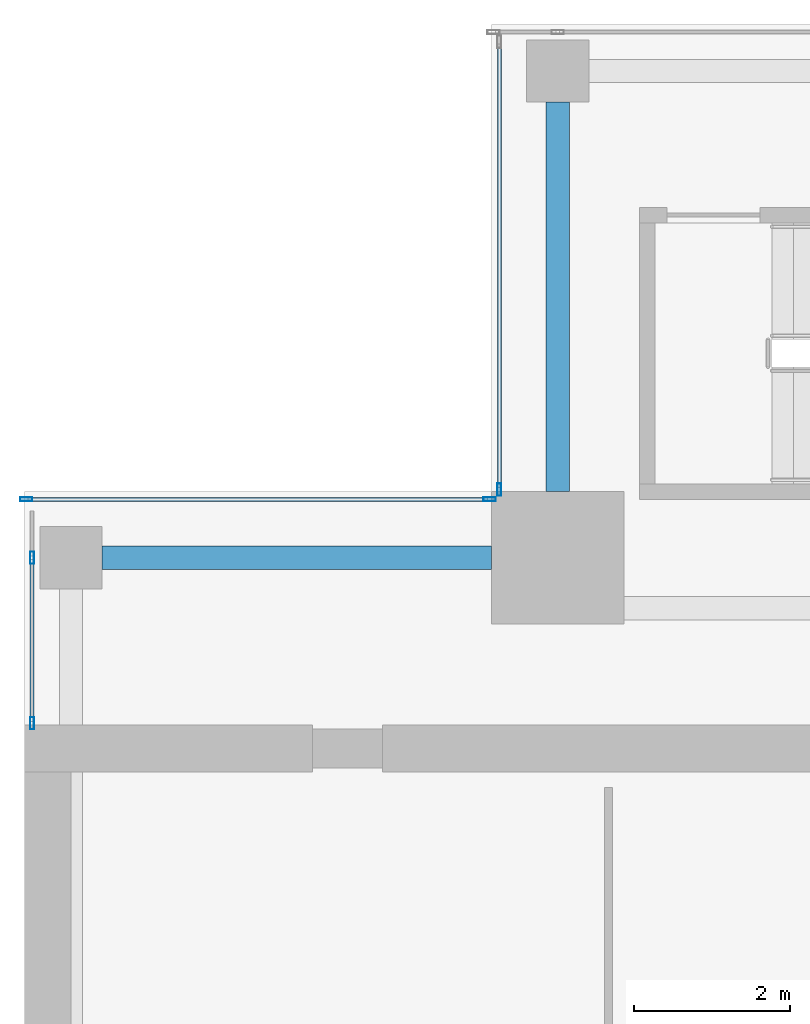
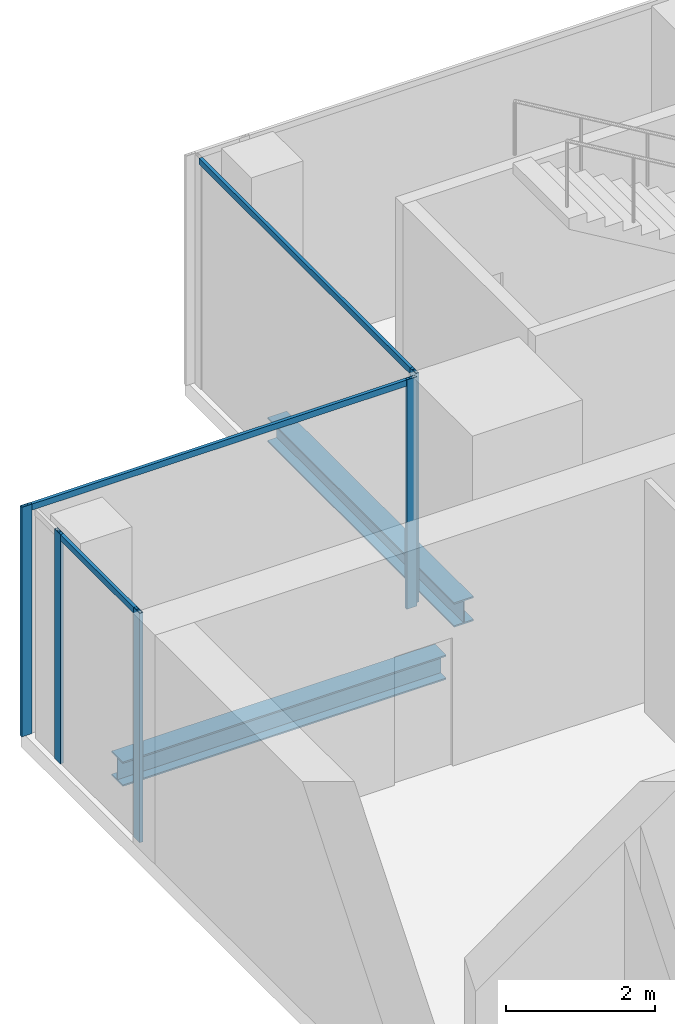
# One storey, part 14 of 29: 8 members, 2 beams, 3 elements without a shape of their own.
"""IFC4 building model written with IfcOpenShell, lengths in metres."""

from ifc_helpers import new_model, si_unit, direction, frame, origin, origin_2d, place, context, subcontext, project, spatial, hollow_rectangle, i_section, extrude, source, transform, mapped, material, material_profile, profile_set, type_object, element, aggregate, save


model = new_model("IFC4")

# Units and contexts
model_context = context("Model", 3, precision=1e-05, world=origin(), true_north=direction((0.0, 1.0)))
body_context = subcontext(model_context, "Body", "Model", "MODEL_VIEW")
ifc_project = project(units=[si_unit("LENGTHUNIT", "METRE"), si_unit("AREAUNIT", "SQUARE_METRE"), si_unit("VOLUMEUNIT", "CUBIC_METRE"), si_unit("PLANEANGLEUNIT", "RADIAN"), si_unit("MASSUNIT", "GRAM", prefix="KILO")], contexts=[model_context])

# Site, building, storey
site_placement = place(None, origin())
site = spatial("IfcSite", under=ifc_project, at=site_placement, CompositionType="ELEMENT")
building_placement = place(site_placement, origin())
building = spatial("IfcBuilding", under=site, at=building_placement, Name="Khomas Fold Tower", CompositionType="ELEMENT")
storey_placement = place(building_placement, frame((0.0, 0.0, 310.199951171875)))
storey = spatial("IfcBuildingStorey", under=building, at=storey_placement, Name="L70", CompositionType="ELEMENT", Elevation=310.199951171875)

# Beams
ifc_material_1 = material(Name="Steel S355", Category="steel")
ifc_material_profile_1 = material_profile(ifc_material_1, i_section(OverallWidth=0.300048828125, OverallDepth=0.39990234375, WebThickness=0.013427734375, FlangeThickness=0.02392578125, at=origin_2d()), Name="HE 400 B")
ifc_profile_set_1 = profile_set([ifc_material_profile_1], Name="Steel S355")
beam_type = type_object("IfcBeamType", Name="HE 400 B spandrel SB5", PredefinedType="SPANDREL", material=ifc_profile_set_1)
shared_shape_1 = source(origin(), body_context, "Body", "SweptSolid", [
    extrude(i_section(OverallWidth=0.300048828125, OverallDepth=0.39990234375, WebThickness=0.013427734375, FlangeThickness=0.02392578125, at=origin_2d()), origin(), (0.0, 0.0, 1.0), 5.0),
])
for number, where, z_axis, x_axis, name in (
    (1, (12.85009765625, 42.0, -0.449951171875), (0.0, 1.0, 0.0), (-1.0, 0.0, 0.0), "SB5"),
    (2, (7.0, 41.14990234375, -0.449951171875), (1.0, 0.0, 0.0), (0.0, 1.0, 0.0), "SB5"),
):
    element("IfcBeam", number, at=place(storey_placement, frame(where, z_axis=z_axis, x_axis=x_axis)), inside=storey, type_object=beam_type, Name=name, PredefinedType="SPANDREL", context=body_context, shape_type="MappedRepresentation", body=[
        mapped(shared_shape_1, transform((0.0, 0.0, 0.0))),
    ])

# Curtain wall, member
ifc_material_2 = material(Name="Aluminium framed double glazing", Category="aluminium")
curtain_wall_type = type_object("IfcCurtainWallType", Name="SK-Unitised clear-glass wall, upper floors CW3", PredefinedType="NOTDEFINED", material=ifc_material_2)
curtain_wall_1_placement = place(storey_placement, origin())
curtain_wall_1 = element("IfcCurtainWall", 3, at=curtain_wall_1_placement, inside=storey, type_object=curtain_wall_type, Name="CW3 corner return L70 07", PredefinedType="NOTDEFINED")
ifc_material_3 = material(Name="Aluminium", Category="aluminium")
ifc_material_profile_2 = material_profile(ifc_material_3, hollow_rectangle(XDim=0.050048828125, YDim=0.159912109375, WallThickness=0.00390625, at=origin_2d()), Name="SK-Unitised clear-glass wall, upper floors mullion CW3-M")
ifc_profile_set_2 = profile_set([ifc_material_profile_2], Name="Aluminium")
member_type_1 = type_object("IfcMemberType", Name="SK-Unitised clear-glass wall, upper floors mullion CW3-M", PredefinedType="MULLION", material=ifc_profile_set_2)
shared_shape_2 = source(origin(), body_context, "Body", "SweptSolid", [
    extrude(hollow_rectangle(XDim=0.050048828125, YDim=0.159912109375, WallThickness=0.00390625, at=origin_2d()), origin(), (0.0, 0.0, 1.0), 3.75),
])
member_1_placement = place(storey_placement, frame((12.10009765625, 42.02490234375, 0.0), z_axis=(0.0, 0.0, 1.0), x_axis=(1.0, 0.0, 0.0)))
member_1 = element("IfcMember", 4, at=member_1_placement, type_object=member_type_1, Name="CW3 mullion 2", PredefinedType="MULLION", context=body_context, shape_type="MappedRepresentation", body=[
    mapped(shared_shape_2, transform((0.0, 0.0, 0.0))),
])

# Curtain wall, members
curtain_wall_2_placement = place(storey_placement, origin())
curtain_wall_2 = element("IfcCurtainWall", 5, at=curtain_wall_2_placement, inside=storey, type_object=curtain_wall_type, Name="CW3 corner return L70 08", PredefinedType="NOTDEFINED")
member_2_placement = place(storey_placement, frame((11.97509765625, 41.89990234375, 0.0), z_axis=(0.0, 0.0, 1.0), x_axis=(0.0, -1.0, 0.0)))
member_2 = element("IfcMember", 6, at=member_2_placement, type_object=member_type_1, Name="CW3 mullion 1", PredefinedType="MULLION", context=body_context, shape_type="MappedRepresentation", body=[
    mapped(shared_shape_2, transform((0.0, 0.0, 0.0))),
])
member_3_placement = place(storey_placement, frame((6.02490234375, 41.89990234375, 0.0), z_axis=(0.0, 0.0, 1.0), x_axis=(0.0, -1.0, 0.0)))
member_3 = element("IfcMember", 7, at=member_3_placement, type_object=member_type_1, Name="CW3 mullion 2", PredefinedType="MULLION", context=body_context, shape_type="MappedRepresentation", body=[
    mapped(shared_shape_2, transform((0.0, 0.0, 0.0))),
])

curtain_wall_3_placement = place(storey_placement, origin())
curtain_wall_3 = element("IfcCurtainWall", 8, at=curtain_wall_3_placement, inside=storey, type_object=curtain_wall_type, Name="CW3 run L70 09-0", PredefinedType="NOTDEFINED")
member_4_placement = place(storey_placement, frame((6.10009765625, 41.14990234375, 0.0), z_axis=(0.0, 0.0, 1.0), x_axis=(1.0, 0.0, 0.0)))
member_4 = element("IfcMember", 9, at=member_4_placement, type_object=member_type_1, Name="CW3 mullion 2", PredefinedType="MULLION", context=body_context, shape_type="MappedRepresentation", body=[
    mapped(shared_shape_2, transform((0.0, 0.0, 0.0))),
])
member_5_placement = place(storey_placement, frame((6.10009765625, 39.02490234375, 0.0), z_axis=(0.0, 0.0, 1.0), x_axis=(1.0, 0.0, 0.0)))
member_5 = element("IfcMember", 10, at=member_5_placement, type_object=member_type_1, Name="CW3 mullion 3", PredefinedType="MULLION", context=body_context, shape_type="MappedRepresentation", body=[
    mapped(shared_shape_2, transform((0.0, 0.0, 0.0))),
])

# Member
ifc_material_4 = material(Name="Aluminium", Category="aluminium")
ifc_material_profile_3 = material_profile(ifc_material_4, hollow_rectangle(XDim=0.050048828125, YDim=0.10009765625, WallThickness=0.00390625, at=origin_2d()), Name="SK-Unitised clear-glass wall, upper floors transom CW3-T")
ifc_profile_set_3 = profile_set([ifc_material_profile_3], Name="Aluminium")
member_type_2 = type_object("IfcMemberType", Name="SK-Unitised clear-glass wall, upper floors transom CW3-T", PredefinedType="USERDEFINED", material=ifc_profile_set_3)
shared_shape_3 = source(origin(), body_context, "Body", "SweptSolid", [
    extrude(hollow_rectangle(XDim=0.050048828125, YDim=0.10009765625, WallThickness=0.00390625, at=origin_2d()), origin(), (0.0, 0.0, 1.0), 5.699951171875),
])
member_6_placement = place(storey_placement, frame((12.10009765625, 47.75, 3.699951171875), z_axis=(0.0, -1.0, 0.0), x_axis=(1.0, 0.0, 0.0)))
member_6 = element("IfcMember", 11, at=member_6_placement, type_object=member_type_2, Name="CW3 transom 1", ObjectType="TRANSOM", PredefinedType="USERDEFINED", context=body_context, shape_type="MappedRepresentation", body=[
    mapped(shared_shape_3, transform((0.0, 0.0, 0.0))),
])

aggregate(curtain_wall_1, [member_1, member_6])

shared_shape_4 = source(origin(), body_context, "Body", "SweptSolid", [
    extrude(hollow_rectangle(XDim=0.050048828125, YDim=0.10009765625, WallThickness=0.00390625, at=origin_2d()), origin(), (0.0, 0.0, 1.0), 5.89990234375),
])
member_7_placement = place(storey_placement, frame((11.949951171875, 41.89990234375, 3.699951171875), z_axis=(-1.0, 0.0, 0.0), x_axis=(0.0, -1.0, 0.0)))
member_7 = element("IfcMember", 12, at=member_7_placement, type_object=member_type_2, Name="CW3 transom 1", ObjectType="TRANSOM", PredefinedType="USERDEFINED", context=body_context, shape_type="MappedRepresentation", body=[
    mapped(shared_shape_4, transform((0.0, 0.0, 0.0))),
])

aggregate(curtain_wall_2, [member_2, member_3, member_7])

shared_shape_5 = source(origin(), body_context, "Body", "SweptSolid", [
    extrude(hollow_rectangle(XDim=0.050048828125, YDim=0.10009765625, WallThickness=0.00390625, at=origin_2d()), origin(), (0.0, 0.0, 1.0), 2.074951171875),
])
member_8_placement = place(storey_placement, frame((6.10009765625, 41.125, 3.699951171875), z_axis=(0.0, -1.0, 0.0), x_axis=(1.0, 0.0, 0.0)))
member_8 = element("IfcMember", 13, at=member_8_placement, type_object=member_type_2, Name="CW3 transom 2", ObjectType="TRANSOM", PredefinedType="USERDEFINED", context=body_context, shape_type="MappedRepresentation", body=[
    mapped(shared_shape_5, transform((0.0, 0.0, 0.0))),
])

aggregate(curtain_wall_3, [member_4, member_5, member_8])

save(model, "model.ifc")
